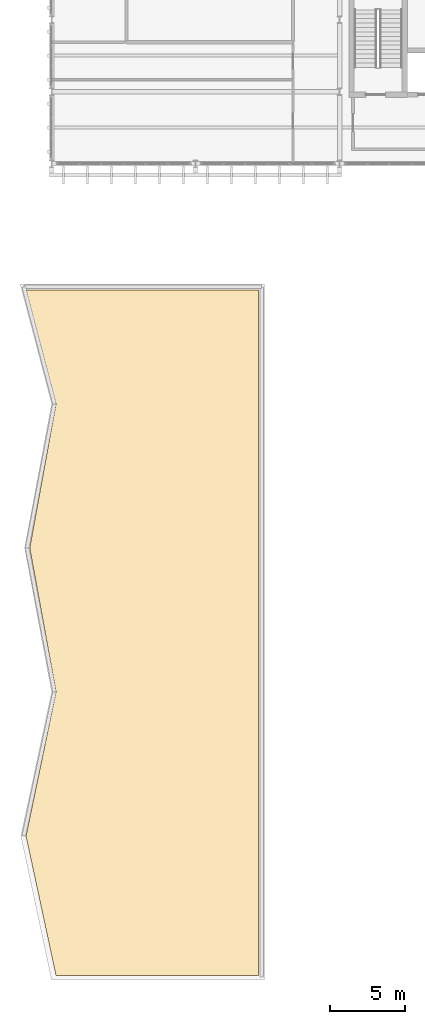
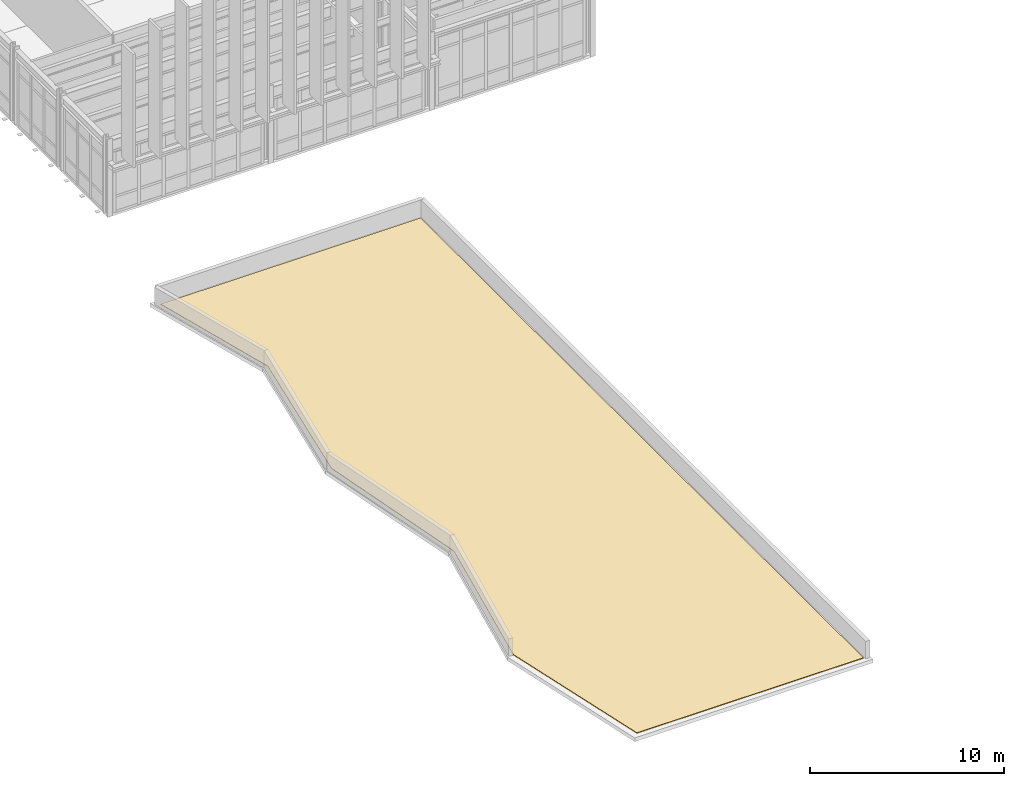
# One storey, part 26 of 28: 1 covering.
"""IFC4 building model written with IfcOpenShell, lengths in metres."""

from ifc_helpers import new_model, si_unit, direction, frame, origin, place, context, subcontext, project, spatial, polyline, outline, extrude, material, layer, layer_set, type_object, element, save


model = new_model("IFC4")

# Units and contexts
model_context = context("Model", 3, precision=1e-05, world=origin(), true_north=direction((0.0, 1.0)))
body_context = subcontext(model_context, "Body", "Model", "MODEL_VIEW")
ifc_project = project(units=[si_unit("LENGTHUNIT", "METRE"), si_unit("AREAUNIT", "SQUARE_METRE"), si_unit("VOLUMEUNIT", "CUBIC_METRE"), si_unit("PLANEANGLEUNIT", "RADIAN"), si_unit("MASSUNIT", "GRAM", prefix="KILO")], contexts=[model_context])

# Site, building, storey
site_placement = place(None, origin())
site = spatial("IfcSite", under=ifc_project, at=site_placement, CompositionType="ELEMENT")
building_placement = place(site_placement, origin())
building = spatial("IfcBuilding", under=site, at=building_placement, Name="Nordkorset Police Headquarters", CompositionType="ELEMENT")
storey_placement = place(building_placement, frame((0.0, 0.0, 26.25)))
storey = spatial("IfcBuildingStorey", under=building, at=storey_placement, Name="L06", CompositionType="ELEMENT", Elevation=26.25)

# Covering
ifc_material = material(Name="Patinated Nordic zinc")
ifc_layer = layer(ifc_material, 0.0400390625, Name="Patinated Nordic zinc")
ifc_layer_set = layer_set([ifc_layer], Name="Patinated Nordic zinc")
covering_type = type_object("IfcCoveringType", Name="Roofing_StandingSeam_Zinc", PredefinedType="ROOFING", material=ifc_layer_set)
covering_placement = place(storey_placement, origin())
element("IfcCovering", 1, at=covering_placement, inside=storey, type_object=covering_type, Name="Patinated Nordic Zinc Roof Covering ROOFCVR-V3S", PredefinedType="ROOFING", context=body_context, shape_type="SweptSolid", body=[
    extrude(outline(polyline([(0.300048828125, 29.10009765625), (13.800048828125, 29.10009765625), (13.800048828125, 74.800048828125), (-1.699951171875, 74.800048828125), (0.300048828125, 67.199951171875), (-1.449951171875, 57.60009765625), (0.300048828125, 48.0), (-1.699951171875, 38.39990234375), (0.300048828125, 29.10009765625)])), origin(), (0.0, 0.0, 1.0), 0.0400390625),
])

save(model, "model.ifc")
